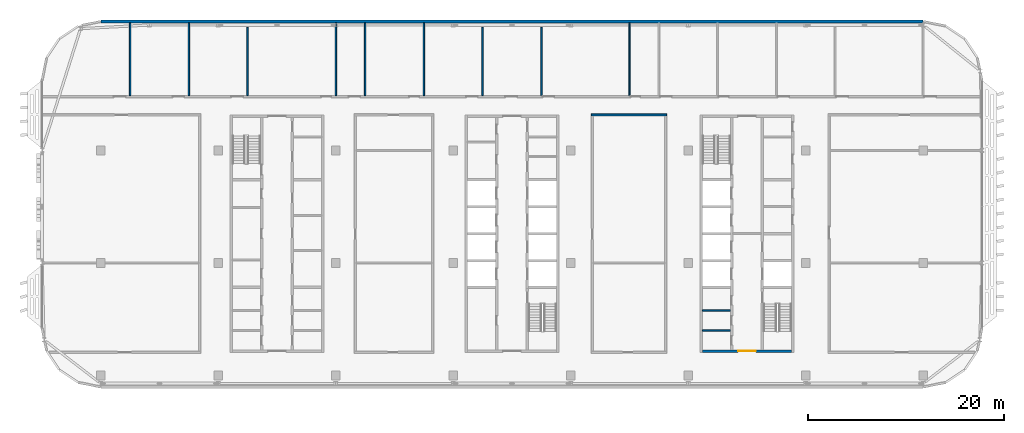
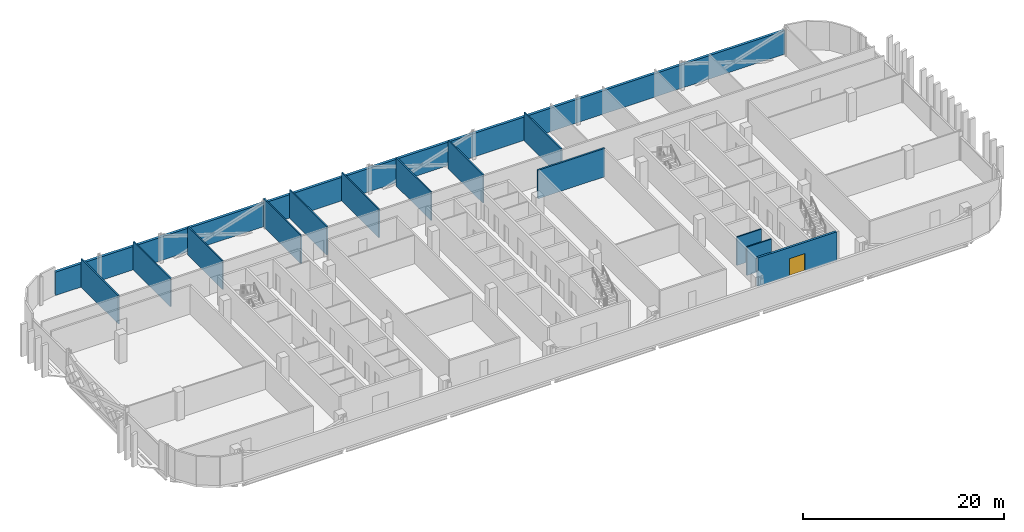
# One storey, part 14 of 25: 14 walls, 1 door, 1 opening.
"""IFC4 building model written with IfcOpenShell, lengths in metres."""

from ifc_helpers import new_model, si_unit, direction, frame, frame_2d, origin, place, context, subcontext, project, spatial, rectangle, extrude, material, layer, layer_set, type_object, element, fill, save


model = new_model("IFC4")

# Units and contexts
model_context = context("Model", 3, precision=1e-05, world=origin(), true_north=direction((0.0, 1.0)))
body_context = subcontext(model_context, "Body", "Model", "MODEL_VIEW")
ifc_project = project(units=[si_unit("LENGTHUNIT", "METRE"), si_unit("AREAUNIT", "SQUARE_METRE"), si_unit("VOLUMEUNIT", "CUBIC_METRE"), si_unit("PLANEANGLEUNIT", "RADIAN"), si_unit("MASSUNIT", "GRAM", prefix="KILO")], contexts=[model_context])

# Site, building, storey
site_placement = place(None, origin())
site = spatial("IfcSite", under=ifc_project, at=site_placement, CompositionType="ELEMENT")
building_placement = place(site_placement, origin())
building = spatial("IfcBuilding", under=site, at=building_placement, Name="Mahtab Terrace Research Tower", CompositionType="ELEMENT")
storey_placement = place(building_placement, frame((0.0, 0.0, 278.5)))
storey = spatial("IfcBuildingStorey", under=building, at=storey_placement, Name="L68", CompositionType="ELEMENT", Elevation=278.5)

# Walls
ifc_material_1 = material(Name="Gypsum board partition")
ifc_layer_1 = layer(ifc_material_1, 0.14990234375)
ifc_layer_set_1 = layer_set([ifc_layer_1], Name="Core partition 150")
wall_type_1 = type_object("IfcWallType", Name="Core partition 150", PredefinedType="PARTITIONING", material=ifc_layer_set_1)
for number, where, z_axis, x_axis, name in (
    (1, (19.449951171875, -6.875, 0.0), (0.0, 0.0, 1.0), (1.0, 0.0, 0.0), "Core wall C pWS-988"),
    (2, (19.449951171875, -4.875, 0.0), (0.0, 0.0, 1.0), (1.0, 0.0, 0.0), "Core wall C pWS-788"),
):
    element("IfcWall", number, at=place(storey_placement, frame(where, z_axis=z_axis, x_axis=x_axis)), inside=storey, type_object=wall_type_1, Name=name, PredefinedType="PARTITIONING", context=body_context, shape_type="SweptSolid", body=[
        extrude(rectangle(XDim=2.85009765625, YDim=0.14990234375, at=frame_2d((1.425048828125, 0.0))), origin(), (0.0, 0.0, 1.0), 3.4599609375),
    ])

# Wall, opening, door
ifc_material_2 = material(Name="Concrete C70/85", Category="concrete")
ifc_layer_2 = layer(ifc_material_2, 0.25)
ifc_layer_set_2 = layer_set([ifc_layer_2], Name="Core wall 250")
wall_type_2 = type_object("IfcWallType", Name="Core wall 250", PredefinedType="SOLIDWALL", material=ifc_layer_set_2)
wall_1_placement = place(storey_placement, frame((28.550048828125, -9.0, 0.0), z_axis=(0.0, 0.0, 1.0), x_axis=(-1.0, 0.0, 0.0)))
wall_1 = element("IfcWall", 3, at=wall_1_placement, inside=storey, type_object=wall_type_2, Name="Core wall C endS", PredefinedType="SOLIDWALL", context=body_context, shape_type="SweptSolid", body=[
    extrude(rectangle(XDim=9.10009765625, YDim=0.25, at=frame_2d((4.550048828125, 0.0))), origin(), (0.0, 0.0, 1.0), 3.4599609375),
])
opening_placement = place(wall_1_placement, frame((3.64990234375, 0.0, 0.0)))
opening = element("IfcOpeningElement", 4, at=opening_placement, cuts=wall_1, Name="Opening C-S1", PredefinedType="OPENING", context=body_context, shape_type="SweptSolid", body=[
    extrude(rectangle(XDim=1.800048828125, YDim=2.10009765625, at=frame_2d((0.89990234375, 1.050048828125))), frame((0.0, 0.135009765625, 0.0), z_axis=(0.0, -1.0, 0.0), x_axis=(1.0, 0.0, 0.0)), (0.0, 0.0, 1.0), 0.27001953125),
])
ifc_material_3 = material(Name="Steel fire door", Category="steel")
door_type = type_object("IfcDoorType", Name="Lobby double door 1800x2100 1 HR", OperationType="DOUBLE_DOOR_SINGLE_SWING", PredefinedType="DOOR", material=ifc_material_3)
door_placement = place(opening_placement, origin())
door = element("IfcDoor", 5, at=door_placement, inside=storey, type_object=door_type, Name="Core entrance door C S", OperationType="DOUBLE_DOOR_SINGLE_SWING", OverallHeight=2.10009765625, OverallWidth=1.800048828125, PredefinedType="DOOR", context=body_context, shape_type="SweptSolid", body=[
    extrude(rectangle(XDim=1.800048828125, YDim=2.10009765625, at=frame_2d((0.89990234375, 1.050048828125))), frame((0.0, 0.02490234375, 0.0), z_axis=(0.0, -1.0, 0.0), x_axis=(1.0, 0.0, 0.0)), (0.0, 0.0, 1.0), 0.050048828125),
])
fill(opening, door)

# Walls
ifc_material_4 = material(Name="Black aluminium cladding panel", Category="aluminium")
ifc_layer_3 = layer(ifc_material_4, 0.300048828125)
ifc_layer_set_3 = layer_set([ifc_layer_3], Name="Opaque facade wall 300")
wall_type_3 = type_object("IfcWallType", Name="Opaque facade wall 300", PredefinedType="NOTDEFINED", material=ifc_layer_set_3)
wall_2_placement = place(storey_placement, frame((42.0, 24.66796875, 0.0), z_axis=(0.0, 0.0, 1.0), x_axis=(-1.0, 0.0, 0.0)))
element("IfcWall", 6, at=wall_2_placement, inside=storey, type_object=wall_type_3, Name="Opaque facade wall L68 N3", PredefinedType="NOTDEFINED", context=body_context, shape_type="SweptSolid", body=[
    extrude(rectangle(XDim=84.0, YDim=0.300048828125, at=frame_2d((42.0, 0.0))), origin(), (0.0, 0.0, 1.0), 2.852783203125),
])
ifc_material_5 = material(Name="Gypsum board corridor wall on steel studs", Category="steel")
ifc_layer_4 = layer(ifc_material_5, 0.199951171875)
ifc_layer_set_4 = layer_set([ifc_layer_4], Name="WALL CORRIDOR 200")
wall_type_4 = type_object("IfcWallType", Name="WALL CORRIDOR 200", PredefinedType="PARTITIONING", material=ifc_layer_set_4)
wall_3_placement = place(storey_placement, frame((8.10009765625, 15.125, 0.0), z_axis=(0.0, 0.0, 1.0), x_axis=(1.0, 0.0, 0.0)))
element("IfcWall", 7, at=wall_3_placement, inside=storey, type_object=wall_type_4, Name="L68-W016", PredefinedType="PARTITIONING", context=body_context, shape_type="SweptSolid", body=[
    extrude(rectangle(XDim=7.699951171875, YDim=0.199951171875, at=frame_2d((3.85009765625, 0.0))), origin(), (0.0, 0.0, 1.0), 3.4599609375),
])
ifc_material_6 = material(Name="Gypsum board partition on steel studs", Category="steel")
ifc_layer_5 = layer(ifc_material_6, 0.14990234375)
ifc_layer_set_5 = layer_set([ifc_layer_5], Name="WALL PARTITION 150")
wall_type_5 = type_object("IfcWallType", Name="WALL PARTITION 150", PredefinedType="PARTITIONING", material=ifc_layer_set_5)
for number, where, z_axis, x_axis, name in (
    (8, (-39.0, 17.10009765625, 0.0), (0.0, 0.0, 1.0), (0.0, 1.0, 0.0), "L68-W019"),
    (9, (-33.0, 17.10009765625, 0.0), (0.0, 0.0, 1.0), (0.0, 1.0, 0.0), "L68-W020"),
):
    element("IfcWall", number, at=place(storey_placement, frame(where, z_axis=z_axis, x_axis=x_axis)), inside=storey, type_object=wall_type_5, Name=name, PredefinedType="PARTITIONING", context=body_context, shape_type="SweptSolid", body=[
        extrude(rectangle(XDim=7.41796875, YDim=0.14990234375, at=frame_2d((3.708984375, 0.0))), origin(), (0.0, 0.0, 1.0), 3.4599609375),
    ])
wall_4_placement = place(storey_placement, frame((-27.0, 17.10009765625, 0.0), z_axis=(0.0, 0.0, 1.0), x_axis=(0.0, 1.0, 0.0)))
element("IfcWall", 10, at=wall_4_placement, inside=storey, type_object=wall_type_5, Name="L68-W022", PredefinedType="PARTITIONING", context=body_context, shape_type="SweptSolid", body=[
    extrude(rectangle(XDim=6.95458984375, YDim=0.14990234375, at=frame_2d((3.477294921875, 0.0))), origin(), (0.0, 0.0, 1.0), 3.4599609375),
])
for number, where, z_axis, x_axis, name in (
    (11, (-18.0, 17.10009765625, 0.0), (0.0, 0.0, 1.0), (0.0, 1.0, 0.0), "L68-W023"),
    (12, (-15.0, 17.10009765625, 0.0), (0.0, 0.0, 1.0), (0.0, 1.0, 0.0), "L68-W025"),
    (13, (-9.0, 17.10009765625, 0.0), (0.0, 0.0, 1.0), (0.0, 1.0, 0.0), "L68-W026"),
):
    element("IfcWall", number, at=place(storey_placement, frame(where, z_axis=z_axis, x_axis=x_axis)), inside=storey, type_object=wall_type_5, Name=name, PredefinedType="PARTITIONING", context=body_context, shape_type="SweptSolid", body=[
        extrude(rectangle(XDim=7.41796875, YDim=0.14990234375, at=frame_2d((3.708984375, 0.0))), origin(), (0.0, 0.0, 1.0), 3.4599609375),
    ])
for number, where, z_axis, x_axis, name in (
    (14, (-3.0, 17.10009765625, 0.0), (0.0, 0.0, 1.0), (0.0, 1.0, 0.0), "L68-W028"),
    (15, (3.0, 17.10009765625, 0.0), (0.0, 0.0, 1.0), (0.0, 1.0, 0.0), "L68-W029"),
):
    element("IfcWall", number, at=place(storey_placement, frame(where, z_axis=z_axis, x_axis=x_axis)), inside=storey, type_object=wall_type_5, Name=name, PredefinedType="PARTITIONING", context=body_context, shape_type="SweptSolid", body=[
        extrude(rectangle(XDim=6.95458984375, YDim=0.14990234375, at=frame_2d((3.477294921875, 0.0))), origin(), (0.0, 0.0, 1.0), 3.4599609375),
    ])
wall_5_placement = place(storey_placement, frame((12.0, 17.10009765625, 0.0), z_axis=(0.0, 0.0, 1.0), x_axis=(0.0, 1.0, 0.0)))
element("IfcWall", 16, at=wall_5_placement, inside=storey, type_object=wall_type_5, Name="L68-W031", PredefinedType="PARTITIONING", context=body_context, shape_type="SweptSolid", body=[
    extrude(rectangle(XDim=7.41796875, YDim=0.14990234375, at=frame_2d((3.708984375, 0.0))), origin(), (0.0, 0.0, 1.0), 3.4599609375),
])

save(model, "model.ifc")
